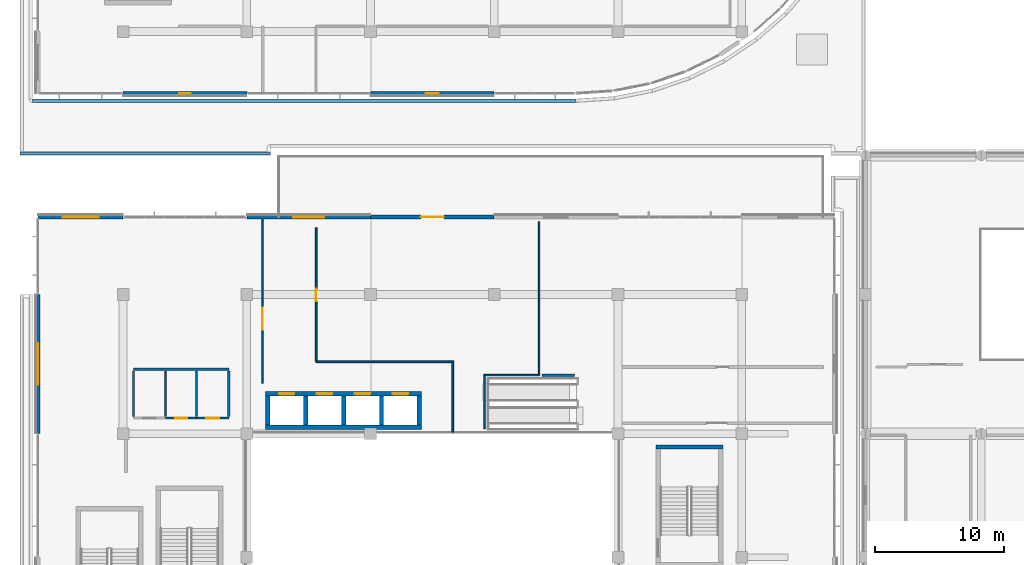
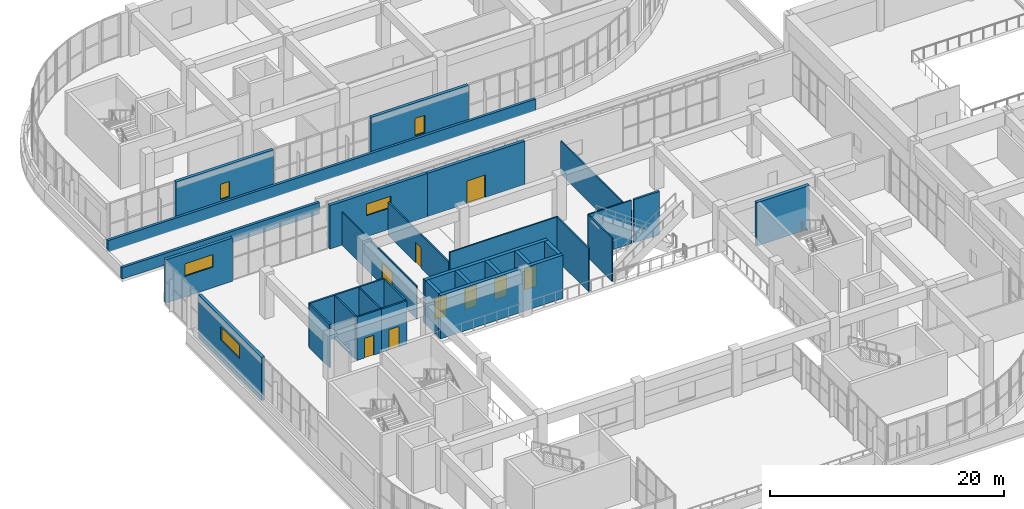
# One storey, part 63 of 96: 31 walls, 9 doors, 5 windows, 14 openings.
"""IFC4 building model written with IfcOpenShell, lengths in metres."""

from ifc_helpers import new_model, si_unit, direction, frame, frame_2d, origin, place, context, subcontext, project, spatial, rectangle, extrude, material, layer, layer_set, type_object, element, fill, save


model = new_model("IFC4")

# Units and contexts
model_context = context("Model", 3, precision=1e-05, world=origin(), true_north=direction((0.0, 1.0)))
body_context = subcontext(model_context, "Body", "Model", "MODEL_VIEW")
ifc_project = project(units=[si_unit("LENGTHUNIT", "METRE"), si_unit("AREAUNIT", "SQUARE_METRE"), si_unit("VOLUMEUNIT", "CUBIC_METRE"), si_unit("PLANEANGLEUNIT", "RADIAN"), si_unit("MASSUNIT", "GRAM", prefix="KILO")], contexts=[model_context])

# Site, building, storey
site_placement = place(None, origin())
site = spatial("IfcSite", under=ifc_project, at=site_placement, CompositionType="ELEMENT")
building_placement = place(site_placement, origin())
building = spatial("IfcBuilding", under=site, at=building_placement, Name="Cendralis Terraced Arcade", CompositionType="ELEMENT")
storey_placement = place(building_placement, frame((0.0, 0.0, 10.199951171875)))
storey = spatial("IfcBuildingStorey", under=building, at=storey_placement, Name="L02", CompositionType="ELEMENT", Elevation=10.199951171875)

# Walls
ifc_material_1 = material(Name="Gypsum plasterboard acoustic partition", Category="concrete")
ifc_layer_1 = layer(ifc_material_1, 0.205078125, Name="WL-ACOU-205")
ifc_layer_set_1 = layer_set([ifc_layer_1], Name="Gypsum plasterboard acoustic partition")
wall_type_1 = type_object("IfcWallType", Name="WL-ACOU-205", PredefinedType="PARTITIONING", material=ifc_layer_set_1)
wall_1_placement = place(storey_placement, frame((44.6181640625, 42.93994140625, 0.0), z_axis=(0.0, 0.0, 1.0), x_axis=(-1.0, 0.0, 0.0)))
element("IfcWall", 1, at=wall_1_placement, inside=storey, type_object=wall_type_1, Name="Interior Partition Wall IW-L02-0444", PredefinedType="PARTITIONING", context=body_context, shape_type="SweptSolid", body=[
    extrude(rectangle(XDim=2.498046875, YDim=0.205078125, at=frame_2d((1.2490234375, 0.0))), origin(), (0.0, 0.0, 1.0), 4.51513671875),
])
ifc_material_2 = material(Name="Concrete f'c 42 MPa", Category="concrete")
ifc_layer_2 = layer(ifc_material_2, 0.340087890625, Name="WL-CORE-340")
ifc_layer_set_2 = layer_set([ifc_layer_2], Name="Concrete f'c 42 MPa")
wall_type_2 = type_object("IfcWallType", Name="WL-CORE-340", PredefinedType="SHEAR", material=ifc_layer_set_2)
wall_2_placement = place(storey_placement, frame((50.9599609375, 37.3701171875, 0.0), z_axis=(0.0, 0.0, 1.0), x_axis=(1.0, 0.0, 0.0)))
element("IfcWall", 2, at=wall_2_placement, inside=storey, type_object=wall_type_2, Name="Stair Core Reinforced Concrete Shear Wall SW-ST-04-L02-N", PredefinedType="SHEAR", context=body_context, shape_type="SweptSolid", body=[
    extrude(rectangle(XDim=5.179931640625, YDim=0.340087890625, at=frame_2d((2.58984375, 0.0))), origin(), (0.0, 0.0, 1.0), 4.51513671875),
])
for number, where, z_axis, x_axis, name in (
    (3, (23.77001953125, 39.074951171875, 0.0), (0.0, 0.0, 1.0), (0.0, 1.0, 0.0), "Lift PL-01 Reinforced Concrete Shaft Wall (L02)"),
    (4, (20.830078125, 39.074951171875, 0.0), (0.0, 0.0, 1.0), (0.0, 1.0, 0.0), "Lift PL-01 Reinforced Concrete Shaft Wall (L02)"),
):
    element("IfcWall", number, at=place(storey_placement, frame(where, z_axis=z_axis, x_axis=x_axis)), inside=storey, type_object=wall_type_2, Name=name, PredefinedType="SHEAR", context=body_context, shape_type="SweptSolid", body=[
        extrude(rectangle(XDim=2.25, YDim=0.340087890625, at=frame_2d((1.125, 0.0))), origin(), (0.0, 0.0, 1.0), 4.51513671875),
    ])
wall_3_placement = place(storey_placement, frame((20.659912109375, 38.905029296875, 0.0), z_axis=(0.0, 0.0, 1.0), x_axis=(1.0, 0.0, 0.0)))
element("IfcWall", 5, at=wall_3_placement, inside=storey, type_object=wall_type_2, Name="Lift PL-01 Reinforced Concrete Shaft Wall (L02)", PredefinedType="SHEAR", context=body_context, shape_type="SweptSolid", body=[
    extrude(rectangle(XDim=12.10009765625, YDim=0.340087890625, at=frame_2d((6.050048828125, 0.0))), origin(), (0.0, 0.0, 1.0), 4.51513671875),
])

# Wall, openings, doors
wall_4_placement = place(storey_placement, frame((20.659912109375, 41.4951171875, 0.0), z_axis=(0.0, 0.0, 1.0), x_axis=(1.0, 0.0, 0.0)))
wall_4 = element("IfcWall", 6, at=wall_4_placement, inside=storey, type_object=wall_type_2, Name="Lift PL-01 Reinforced Concrete Shaft Wall (L02)", PredefinedType="SHEAR", context=body_context, shape_type="SweptSolid", body=[
    extrude(rectangle(XDim=12.10009765625, YDim=0.340087890625, at=frame_2d((6.050048828125, 0.0))), origin(), (0.0, 0.0, 1.0), 4.51513671875),
])
opening_1_placement = place(wall_4_placement, frame((1.0400390625, 0.0, 0.0)))
opening_1 = element("IfcOpeningElement", 7, at=opening_1_placement, cuts=wall_4, Name="Opening LD-PL-01-L02", PredefinedType="OPENING", context=body_context, shape_type="SweptSolid", body=[
    extrude(rectangle(XDim=1.199951171875, YDim=2.199951171875, at=frame_2d((0.60009765625, 1.10009765625))), frame((0.0, 0.18212890625, 0.0), z_axis=(0.0, -1.0, 0.0), x_axis=(1.0, 0.0, 0.0)), (0.0, 0.0, 1.0), 0.364013671875),
])
opening_2_placement = place(wall_4_placement, frame((3.97998046875, 0.0, 0.0)))
opening_2 = element("IfcOpeningElement", 8, at=opening_2_placement, cuts=wall_4, Name="Opening LD-PL-02-L02", PredefinedType="OPENING", context=body_context, shape_type="SweptSolid", body=[
    extrude(rectangle(XDim=1.199951171875, YDim=2.199951171875, at=frame_2d((0.60009765625, 1.10009765625))), frame((0.0, 0.18212890625, 0.0), z_axis=(0.0, -1.0, 0.0), x_axis=(1.0, 0.0, 0.0)), (0.0, 0.0, 1.0), 0.364013671875),
])
opening_3_placement = place(wall_4_placement, frame((6.919921875, 0.0, 0.0)))
opening_3 = element("IfcOpeningElement", 9, at=opening_3_placement, cuts=wall_4, Name="Opening LD-PL-03-L02", PredefinedType="OPENING", context=body_context, shape_type="SweptSolid", body=[
    extrude(rectangle(XDim=1.199951171875, YDim=2.199951171875, at=frame_2d((0.60009765625, 1.10009765625))), frame((0.0, 0.18212890625, 0.0), z_axis=(0.0, -1.0, 0.0), x_axis=(1.0, 0.0, 0.0)), (0.0, 0.0, 1.0), 0.364013671875),
])
opening_4_placement = place(wall_4_placement, frame((9.860107421875, 0.0, 0.0)))
opening_4 = element("IfcOpeningElement", 10, at=opening_4_placement, cuts=wall_4, Name="Opening LD-PL-04-L02", PredefinedType="OPENING", context=body_context, shape_type="SweptSolid", body=[
    extrude(rectangle(XDim=1.199951171875, YDim=2.199951171875, at=frame_2d((0.60009765625, 1.10009765625))), frame((0.0, 0.18212890625, 0.0), z_axis=(0.0, -1.0, 0.0), x_axis=(1.0, 0.0, 0.0)), (0.0, 0.0, 1.0), 0.364013671875),
])
ifc_material_3 = material(Name="Anodised aluminium sliding door assembly", Category="aluminium")
door_type_1 = type_object("IfcDoorType", Name="ID-LD-PX-1200x2200", OperationType="DOUBLE_DOOR_SLIDING", PredefinedType="DOOR", material=ifc_material_3)
door_1_placement = place(opening_1_placement, origin())
door_1 = element("IfcDoor", 11, at=door_1_placement, inside=storey, type_object=door_type_1, Name="Lift PL-01 Sliding Landing Door (L02)", OperationType="DOUBLE_DOOR_SLIDING", OverallHeight=2.199951171875, OverallWidth=1.199951171875, PredefinedType="DOOR", context=body_context, shape_type="SweptSolid", body=[
    extrude(rectangle(XDim=1.199951171875, YDim=2.199951171875, at=frame_2d((0.60009765625, 1.10009765625))), frame((0.0, 0.02490234375, 0.0), z_axis=(0.0, -1.0, 0.0), x_axis=(1.0, 0.0, 0.0)), (0.0, 0.0, 1.0), 0.050048828125),
])
fill(opening_1, door_1)
door_2_placement = place(opening_2_placement, origin())
door_2 = element("IfcDoor", 12, at=door_2_placement, inside=storey, type_object=door_type_1, Name="Lift PL-02 Sliding Landing Door (L02)", OperationType="DOUBLE_DOOR_SLIDING", OverallHeight=2.199951171875, OverallWidth=1.199951171875, PredefinedType="DOOR", context=body_context, shape_type="SweptSolid", body=[
    extrude(rectangle(XDim=1.199951171875, YDim=2.199951171875, at=frame_2d((0.60009765625, 1.10009765625))), frame((0.0, 0.02490234375, 0.0), z_axis=(0.0, -1.0, 0.0), x_axis=(1.0, 0.0, 0.0)), (0.0, 0.0, 1.0), 0.050048828125),
])
fill(opening_2, door_2)
door_3_placement = place(opening_3_placement, origin())
door_3 = element("IfcDoor", 13, at=door_3_placement, inside=storey, type_object=door_type_1, Name="Lift PL-03 Sliding Landing Door (L02)", OperationType="DOUBLE_DOOR_SLIDING", OverallHeight=2.199951171875, OverallWidth=1.199951171875, PredefinedType="DOOR", context=body_context, shape_type="SweptSolid", body=[
    extrude(rectangle(XDim=1.199951171875, YDim=2.199951171875, at=frame_2d((0.60009765625, 1.10009765625))), frame((0.0, 0.02490234375, 0.0), z_axis=(0.0, -1.0, 0.0), x_axis=(1.0, 0.0, 0.0)), (0.0, 0.0, 1.0), 0.050048828125),
])
fill(opening_3, door_3)
door_4_placement = place(opening_4_placement, origin())
door_4 = element("IfcDoor", 14, at=door_4_placement, inside=storey, type_object=door_type_1, Name="Lift PL-04 Sliding Landing Door (L02)", OperationType="DOUBLE_DOOR_SLIDING", OverallHeight=2.199951171875, OverallWidth=1.199951171875, PredefinedType="DOOR", context=body_context, shape_type="SweptSolid", body=[
    extrude(rectangle(XDim=1.199951171875, YDim=2.199951171875, at=frame_2d((0.60009765625, 1.10009765625))), frame((0.0, 0.02490234375, 0.0), z_axis=(0.0, -1.0, 0.0), x_axis=(1.0, 0.0, 0.0)), (0.0, 0.0, 1.0), 0.050048828125),
])
fill(opening_4, door_4)

# Walls
for number, where, z_axis, x_axis, name in (
    (15, (26.7099609375, 39.074951171875, 0.0), (0.0, 0.0, 1.0), (0.0, 1.0, 0.0), "Lift PL-02 Reinforced Concrete Shaft Wall (L02)"),
    (16, (29.64990234375, 39.074951171875, 0.0), (0.0, 0.0, 1.0), (0.0, 1.0, 0.0), "Lift PL-03 Reinforced Concrete Shaft Wall (L02)"),
    (17, (32.590087890625, 39.074951171875, 0.0), (0.0, 0.0, 1.0), (0.0, 1.0, 0.0), "Lift PL-04 Reinforced Concrete Shaft Wall (L02)"),
):
    element("IfcWall", number, at=place(storey_placement, frame(where, z_axis=z_axis, x_axis=x_axis)), inside=storey, type_object=wall_type_2, Name=name, PredefinedType="SHEAR", context=body_context, shape_type="SweptSolid", body=[
        extrude(rectangle(XDim=2.25, YDim=0.340087890625, at=frame_2d((1.125, 0.0))), origin(), (0.0, 0.0, 1.0), 4.51513671875),
    ])

# Wall, opening, window
ifc_material_4 = material(Name="Precast concrete f'c 40 MPa", Category="concrete")
ifc_layer_3 = layer(ifc_material_4, 0.300048828125, Name="WL-EXT-GRC-300")
ifc_layer_set_3 = layer_set([ifc_layer_3], Name="Precast concrete f'c 40 MPa")
wall_type_3 = type_object("IfcWallType", Name="WL-EXT-GRC-300", PredefinedType="SOLIDWALL", material=ifc_layer_set_3)
wall_5_placement = place(storey_placement, frame((38.39990234375, 64.800048828125, 0.0), z_axis=(0.0, 0.0, 1.0), x_axis=(-1.0, 0.0, 0.0)))
wall_5 = element("IfcWall", 18, at=wall_5_placement, inside=storey, type_object=wall_type_3, Name="Exterior Architectural Wall EW-L02-0169", PredefinedType="SOLIDWALL", context=body_context, shape_type="SweptSolid", body=[
    extrude(rectangle(XDim=9.599853515625, YDim=0.300048828125, at=frame_2d((4.7998046875, 0.0))), origin(), (0.0, 0.0, 1.0), 4.51513671875),
])
opening_5_placement = place(wall_5_placement, frame((4.300048828125, 0.0, 1.10009765625)))
opening_5 = element("IfcOpeningElement", 19, at=opening_5_placement, cuts=wall_5, Name="Opening W-23", PredefinedType="OPENING", context=body_context, shape_type="SweptSolid", body=[
    extrude(rectangle(XDim=1.0, YDim=1.800048828125, at=frame_2d((0.5, 0.89990234375))), frame((0.0, 0.162109375, 0.0), z_axis=(0.0, -1.0, 0.0), x_axis=(1.0, 0.0, 0.0)), (0.0, 0.0, 1.0), 0.323974609375),
])
ifc_material_5 = material(Name="Tempered solar control laminated glass", Category="glass")
window_type_1 = type_object("IfcWindowType", Name="WN-ST-1000x1800", PartitioningType="SINGLE_PANEL", PredefinedType="WINDOW", material=ifc_material_5)
window_1_placement = place(opening_5_placement, origin())
window_1 = element("IfcWindow", 20, at=window_1_placement, inside=storey, type_object=window_type_1, Name="Exterior Solar-Control Window WN-L02-0108", OverallHeight=1.800048828125, OverallWidth=1.0, PartitioningType="SINGLE_PANEL", PredefinedType="WINDOW", context=body_context, shape_type="SweptSolid", body=[
    extrude(rectangle(XDim=1.0, YDim=1.800048828125, at=frame_2d((0.5, 0.89990234375))), frame((0.0, 0.030029296875, 0.0), z_axis=(0.0, -1.0, 0.0), x_axis=(1.0, 0.0, 0.0)), (0.0, 0.0, 1.0), 0.06005859375),
])
fill(opening_5, window_1)

wall_6_placement = place(storey_placement, frame((19.199951171875, 64.800048828125, 0.0), z_axis=(0.0, 0.0, 1.0), x_axis=(-1.0, 0.0, 0.0)))
wall_6 = element("IfcWall", 21, at=wall_6_placement, inside=storey, type_object=wall_type_3, Name="Exterior Architectural Wall EW-L02-0170", PredefinedType="SOLIDWALL", context=body_context, shape_type="SweptSolid", body=[
    extrude(rectangle(XDim=9.599853515625, YDim=0.300048828125, at=frame_2d((4.7998046875, 0.0))), origin(), (0.0, 0.0, 1.0), 4.51513671875),
])
opening_6_placement = place(wall_6_placement, frame((4.35009765625, 0.0, 1.14990234375)))
opening_6 = element("IfcOpeningElement", 22, at=opening_6_placement, cuts=wall_6, Name="Opening W-24", PredefinedType="OPENING", context=body_context, shape_type="SweptSolid", body=[
    extrude(rectangle(XDim=0.89990234375, YDim=1.60009765625, at=frame_2d((0.449951171875, 0.800048828125))), frame((0.0, 0.162109375, 0.0), z_axis=(0.0, -1.0, 0.0), x_axis=(1.0, 0.0, 0.0)), (0.0, 0.0, 1.0), 0.323974609375),
])
window_type_2 = type_object("IfcWindowType", Name="WN-ST-0900x1600", PartitioningType="SINGLE_PANEL", PredefinedType="WINDOW", material=ifc_material_5)
window_2_placement = place(opening_6_placement, origin())
window_2 = element("IfcWindow", 23, at=window_2_placement, inside=storey, type_object=window_type_2, Name="Exterior Solar-Control Window WN-L02-0109", OverallHeight=1.60009765625, OverallWidth=0.89990234375, PartitioningType="SINGLE_PANEL", PredefinedType="WINDOW", context=body_context, shape_type="SweptSolid", body=[
    extrude(rectangle(XDim=0.89990234375, YDim=1.60009765625, at=frame_2d((0.449951171875, 0.800048828125))), frame((0.0, 0.030029296875, 0.0), z_axis=(0.0, -1.0, 0.0), x_axis=(1.0, 0.0, 0.0)), (0.0, 0.0, 1.0), 0.06005859375),
])
fill(opening_6, window_2)

wall_7_placement = place(storey_placement, frame((3.0, 38.39990234375, 0.0), z_axis=(0.0, 0.0, 1.0), x_axis=(0.0, 1.0, 0.0)))
wall_7 = element("IfcWall", 24, at=wall_7_placement, inside=storey, type_object=wall_type_3, Name="Exterior Architectural Wall EW-L02-0221", PredefinedType="SOLIDWALL", context=body_context, shape_type="SweptSolid", body=[
    extrude(rectangle(XDim=10.800048828125, YDim=0.300048828125, at=frame_2d((5.39990234375, 0.0))), origin(), (0.0, 0.0, 1.0), 4.51513671875),
])
opening_7_placement = place(wall_7_placement, frame((3.800048828125, 0.0, 2.10009765625)))
opening_7 = element("IfcOpeningElement", 25, at=opening_7_placement, cuts=wall_7, Name="Opening W-15", PredefinedType="OPENING", context=body_context, shape_type="SweptSolid", body=[
    extrude(rectangle(XDim=3.199951171875, YDim=1.39990234375, at=frame_2d((1.60009765625, 0.699951171875))), frame((0.0, 0.162109375, 0.0), z_axis=(0.0, -1.0, 0.0), x_axis=(1.0, 0.0, 0.0)), (0.0, 0.0, 1.0), 0.323974609375),
])
window_type_3 = type_object("IfcWindowType", Name="WN-CL-3200x1400", PartitioningType="SINGLE_PANEL", PredefinedType="WINDOW", material=ifc_material_5)
window_3_placement = place(opening_7_placement, origin())
window_3 = element("IfcWindow", 26, at=window_3_placement, inside=storey, type_object=window_type_3, Name="Exterior Solar-Control Window WN-L02-0135", OverallHeight=1.39990234375, OverallWidth=3.199951171875, PartitioningType="SINGLE_PANEL", PredefinedType="WINDOW", context=body_context, shape_type="SweptSolid", body=[
    extrude(rectangle(XDim=3.199951171875, YDim=1.39990234375, at=frame_2d((1.60009765625, 0.699951171875))), frame((0.0, 0.030029296875, 0.0), z_axis=(0.0, -1.0, 0.0), x_axis=(1.0, 0.0, 0.0)), (0.0, 0.0, 1.0), 0.06005859375),
])
fill(opening_7, window_3)

wall_8_placement = place(storey_placement, frame((3.0, 55.199951171875, 0.0), z_axis=(0.0, 0.0, 1.0), x_axis=(1.0, 0.0, 0.0)))
wall_8 = element("IfcWall", 27, at=wall_8_placement, inside=storey, type_object=wall_type_3, Name="Exterior Architectural Wall EW-L02-0222", PredefinedType="SOLIDWALL", context=body_context, shape_type="SweptSolid", body=[
    extrude(rectangle(XDim=6.60009765625, YDim=0.300048828125, at=frame_2d((3.300048828125, 0.0))), origin(), (0.0, 0.0, 1.0), 4.51513671875),
])
opening_8_placement = place(wall_8_placement, frame((1.89990234375, 0.0, 2.14990234375)))
opening_8 = element("IfcOpeningElement", 28, at=opening_8_placement, cuts=wall_8, Name="Opening W-16", PredefinedType="OPENING", context=body_context, shape_type="SweptSolid", body=[
    extrude(rectangle(XDim=2.800048828125, YDim=1.300048828125, at=frame_2d((1.39990234375, 0.64990234375))), frame((0.0, 0.162109375, 0.0), z_axis=(0.0, -1.0, 0.0), x_axis=(1.0, 0.0, 0.0)), (0.0, 0.0, 1.0), 0.323974609375),
])
window_type_4 = type_object("IfcWindowType", Name="WN-CL-2800x1300", PartitioningType="SINGLE_PANEL", PredefinedType="WINDOW", material=ifc_material_5)
window_4_placement = place(opening_8_placement, origin())
window_4 = element("IfcWindow", 29, at=window_4_placement, inside=storey, type_object=window_type_4, Name="Exterior Solar-Control Window WN-L02-0136", OverallHeight=1.300048828125, OverallWidth=2.800048828125, PartitioningType="SINGLE_PANEL", PredefinedType="WINDOW", context=body_context, shape_type="SweptSolid", body=[
    extrude(rectangle(XDim=2.800048828125, YDim=1.300048828125, at=frame_2d((1.39990234375, 0.64990234375))), frame((0.0, 0.030029296875, 0.0), z_axis=(0.0, -1.0, 0.0), x_axis=(1.0, 0.0, 0.0)), (0.0, 0.0, 1.0), 0.06005859375),
])
fill(opening_8, window_4)

wall_9_placement = place(storey_placement, frame((19.199951171875, 55.199951171875, 0.0), z_axis=(0.0, 0.0, 1.0), x_axis=(1.0, 0.0, 0.0)))
wall_9 = element("IfcWall", 30, at=wall_9_placement, inside=storey, type_object=wall_type_3, Name="Exterior Architectural Wall EW-L02-0223", PredefinedType="SOLIDWALL", context=body_context, shape_type="SweptSolid", body=[
    extrude(rectangle(XDim=9.60009765625, YDim=0.300048828125, at=frame_2d((4.800048828125, 0.0))), origin(), (0.0, 0.0, 1.0), 4.51513671875),
])
opening_9_placement = place(wall_9_placement, frame((3.60009765625, 0.0, 2.199951171875)))
opening_9 = element("IfcOpeningElement", 31, at=opening_9_placement, cuts=wall_9, Name="Opening W-17", PredefinedType="OPENING", context=body_context, shape_type="SweptSolid", body=[
    extrude(rectangle(XDim=2.39990234375, YDim=1.199951171875, at=frame_2d((1.199951171875, 0.60009765625))), frame((0.0, 0.162109375, 0.0), z_axis=(0.0, -1.0, 0.0), x_axis=(1.0, 0.0, 0.0)), (0.0, 0.0, 1.0), 0.323974609375),
])
window_type_5 = type_object("IfcWindowType", Name="WN-CL-2400x1200", PartitioningType="SINGLE_PANEL", PredefinedType="WINDOW", material=ifc_material_5)
window_5_placement = place(opening_9_placement, origin())
window_5 = element("IfcWindow", 32, at=window_5_placement, inside=storey, type_object=window_type_5, Name="Exterior Solar-Control Window WN-L02-0137", OverallHeight=1.199951171875, OverallWidth=2.39990234375, PartitioningType="SINGLE_PANEL", PredefinedType="WINDOW", context=body_context, shape_type="SweptSolid", body=[
    extrude(rectangle(XDim=2.39990234375, YDim=1.199951171875, at=frame_2d((1.199951171875, 0.60009765625))), frame((0.0, 0.030029296875, 0.0), z_axis=(0.0, -1.0, 0.0), x_axis=(1.0, 0.0, 0.0)), (0.0, 0.0, 1.0), 0.06005859375),
])
fill(opening_9, window_5)

# Wall, opening, door
wall_10_placement = place(storey_placement, frame((28.800048828125, 55.199951171875, 0.0), z_axis=(0.0, 0.0, 1.0), x_axis=(1.0, 0.0, 0.0)))
wall_10 = element("IfcWall", 33, at=wall_10_placement, inside=storey, type_object=wall_type_3, Name="Exterior Architectural Wall EW-L02-0224", PredefinedType="SOLIDWALL", context=body_context, shape_type="SweptSolid", body=[
    extrude(rectangle(XDim=9.599853515625, YDim=0.300048828125, at=frame_2d((4.7998046875, 0.0))), origin(), (0.0, 0.0, 1.0), 4.51513671875),
])
opening_10_placement = place(wall_10_placement, frame((3.89990234375, 0.0, 0.0)))
opening_10 = element("IfcOpeningElement", 34, at=opening_10_placement, cuts=wall_10, Name="Opening TD-L02-02", PredefinedType="OPENING", context=body_context, shape_type="SweptSolid", body=[
    extrude(rectangle(XDim=1.800048828125, YDim=2.35009765625, at=frame_2d((0.89990234375, 1.175048828125))), frame((0.0, 0.162109375, 0.0), z_axis=(0.0, -1.0, 0.0), x_axis=(1.0, 0.0, 0.0)), (0.0, 0.0, 1.0), 0.323974609375),
])
ifc_material_6 = material(Name="Powder-coated thermally broken aluminium and glass", Category="aluminium")
door_type_2 = type_object("IfcDoorType", Name="ED-TER-1800x2350", OperationType="DOUBLE_DOOR_SINGLE_SWING", PredefinedType="DOOR", material=ifc_material_6)
door_5_placement = place(opening_10_placement, origin())
door_5 = element("IfcDoor", 35, at=door_5_placement, inside=storey, type_object=door_type_2, Name="Planted Terrace Access Door TD-L02-02", OperationType="DOUBLE_DOOR_SINGLE_SWING", OverallHeight=2.35009765625, OverallWidth=1.800048828125, PredefinedType="DOOR", context=body_context, shape_type="SweptSolid", body=[
    extrude(rectangle(XDim=1.800048828125, YDim=2.35009765625, at=frame_2d((0.89990234375, 1.175048828125))), frame((0.0, 0.02490234375, 0.0), z_axis=(0.0, -1.0, 0.0), x_axis=(1.0, 0.0, 0.0)), (0.0, 0.0, 1.0), 0.050048828125),
])
fill(opening_10, door_5)

# Walls
ifc_layer_4 = layer(ifc_material_4, 0.25, Name="WL-PAR-250")
ifc_layer_set_4 = layer_set([ifc_layer_4], Name="Precast concrete f'c 40 MPa")
wall_type_4 = type_object("IfcWallType", Name="WL-PAR-250", PredefinedType="PARAPET", material=ifc_layer_set_4)
wall_11_placement = place(storey_placement, frame((2.580078125, 64.235107421875, 0.0), z_axis=(0.0, 0.0, 1.0), x_axis=(1.0, 0.0, 0.0)))
element("IfcWall", 36, at=wall_11_placement, inside=storey, type_object=wall_type_4, Name="Precast Concrete Roof Parapet Wall PAR-L02-018", PredefinedType="PARAPET", context=body_context, shape_type="SweptSolid", body=[
    extrude(rectangle(XDim=42.1337890625, YDim=0.25, at=frame_2d((21.06689453125, 0.0))), origin(), (0.0, 0.0, 1.0), 1.199951171875),
])
wall_12_placement = place(storey_placement, frame((21.050048828125, 60.14501953125, 0.0), z_axis=(0.0, 0.0, 1.0), x_axis=(-1.0, 0.0, 0.0)))
element("IfcWall", 37, at=wall_12_placement, inside=storey, type_object=wall_type_4, Name="Precast Concrete Roof Parapet Wall PAR-L02-033", PredefinedType="PARAPET", context=body_context, shape_type="SweptSolid", body=[
    extrude(rectangle(XDim=19.449951171875, YDim=0.25, at=frame_2d((9.72509765625, 0.0))), origin(), (0.0, 0.0, 1.0), 1.199951171875),
])

# Wall, opening, door
ifc_layer_5 = layer(ifc_material_1, 0.112060546875, Name="WL-PART-112")
ifc_layer_set_5 = layer_set([ifc_layer_5], Name="Gypsum plasterboard acoustic partition")
wall_type_5 = type_object("IfcWallType", Name="WL-PART-112", PredefinedType="PARTITIONING", material=ifc_layer_set_5)
wall_13_placement = place(storey_placement, frame((20.419921875, 55.050048828125, 0.0), z_axis=(0.0, 0.0, 1.0), x_axis=(0.0, -1.0, 0.0)))
wall_13 = element("IfcWall", 38, at=wall_13_placement, inside=storey, type_object=wall_type_5, Name="Interior Partition Wall IW-L02-0440", PredefinedType="PARTITIONING", context=body_context, shape_type="SweptSolid", body=[
    extrude(rectangle(XDim=12.7451171875, YDim=0.112060546875, at=frame_2d((6.37255859375, 0.0))), origin(), (0.0, 0.0, 1.0), 3.455078125),
])
opening_11_placement = place(wall_13_placement, frame((6.867431640625, 0.0, 0.0)))
opening_11 = element("IfcOpeningElement", 39, at=opening_11_placement, cuts=wall_13, Name="Opening D-L02-119", PredefinedType="OPENING", context=body_context, shape_type="SweptSolid", body=[
    extrude(rectangle(XDim=1.699951171875, YDim=2.300048828125, at=frame_2d((0.85009765625, 1.14990234375))), frame((0.0, 0.06787109375, 0.0), z_axis=(0.0, -1.0, 0.0), x_axis=(1.0, 0.0, 0.0)), (0.0, 0.0, 1.0), 0.135986328125),
])
ifc_material_7 = material(Name="Solid core Andean oak veneer door leaf", Category="aluminium")
door_type_3 = type_object("IfcDoorType", Name="ID-DEP-1700x2300", OperationType="DOUBLE_DOOR_SINGLE_SWING", PredefinedType="DOOR", material=ifc_material_7)
door_6_placement = place(opening_11_placement, origin())
door_6 = element("IfcDoor", 40, at=door_6_placement, inside=storey, type_object=door_type_3, Name="Menswear and Tailoring Sales Floor Door D-L02-119", OperationType="DOUBLE_DOOR_SINGLE_SWING", OverallHeight=2.300048828125, OverallWidth=1.699951171875, PredefinedType="DOOR", context=body_context, shape_type="SweptSolid", body=[
    extrude(rectangle(XDim=1.699951171875, YDim=2.300048828125, at=frame_2d((0.85009765625, 1.14990234375))), frame((0.0, 0.02490234375, 0.0), z_axis=(0.0, -1.0, 0.0), x_axis=(1.0, 0.0, 0.0)), (0.0, 0.0, 1.0), 0.050048828125),
])
fill(opening_11, door_6)

# Walls
ifc_layer_6 = layer(ifc_material_1, 0.117919921875, Name="WL-PART-118")
ifc_layer_set_6 = layer_set([ifc_layer_6], Name="Gypsum plasterboard acoustic partition")
wall_type_6 = type_object("IfcWallType", Name="WL-PART-118", PredefinedType="PARTITIONING", material=ifc_layer_set_6)
wall_14_placement = place(storey_placement, frame((37.659912109375, 42.87890625, 0.0), z_axis=(0.0, 0.0, 1.0), x_axis=(0.0, -1.0, 0.0)))
element("IfcWall", 41, at=wall_14_placement, inside=storey, type_object=wall_type_6, Name="Interior Partition Wall IW-L02-0439", PredefinedType="PARTITIONING", context=body_context, shape_type="SweptSolid", body=[
    extrude(rectangle(XDim=4.078857421875, YDim=0.117919921875, at=frame_2d((2.03955078125, 0.0))), origin(), (0.0, 0.0, 1.0), 4.51513671875),
])
ifc_layer_7 = layer(ifc_material_1, 0.1220703125, Name="WL-PART-122")
ifc_layer_set_7 = layer_set([ifc_layer_7], Name="Gypsum plasterboard acoustic partition")
wall_type_7 = type_object("IfcWallType", Name="WL-PART-122", PredefinedType="PARTITIONING", material=ifc_layer_set_7)
wall_15_placement = place(storey_placement, frame((41.8798828125, 42.93994140625, 0.0), z_axis=(0.0, 0.0, 1.0), x_axis=(-1.0, 0.0, 0.0)))
element("IfcWall", 42, at=wall_15_placement, inside=storey, type_object=wall_type_7, Name="Interior Partition Wall IW-L02-0438", PredefinedType="PARTITIONING", context=body_context, shape_type="SweptSolid", body=[
    extrude(rectangle(XDim=4.27880859375, YDim=0.1220703125, at=frame_2d((2.139404296875, 0.0))), origin(), (0.0, 0.0, 1.0), 4.51513671875),
])
ifc_layer_8 = layer(ifc_material_1, 0.1259765625, Name="WL-PART-126")
ifc_layer_set_8 = layer_set([ifc_layer_8], Name="Gypsum plasterboard acoustic partition")
wall_type_8 = type_object("IfcWallType", Name="WL-PART-126", PredefinedType="PARTITIONING", material=ifc_layer_set_8)
wall_16_placement = place(storey_placement, frame((41.8798828125, 54.860107421875, 0.0), z_axis=(0.0, 0.0, 1.0), x_axis=(0.0, -1.0, 0.0)))
element("IfcWall", 43, at=wall_16_placement, inside=storey, type_object=wall_type_8, Name="Interior Partition Wall IW-L02-0437", PredefinedType="PARTITIONING", context=body_context, shape_type="SweptSolid", body=[
    extrude(rectangle(XDim=11.920166015625, YDim=0.1259765625, at=frame_2d((5.9599609375, 0.0))), origin(), (0.0, 0.0, 1.0), 3.455078125),
])
ifc_layer_9 = layer(ifc_material_1, 0.1298828125, Name="WL-PART-130")
ifc_layer_set_9 = layer_set([ifc_layer_9], Name="Gypsum plasterboard acoustic partition")
wall_type_9 = type_object("IfcWallType", Name="WL-PART-130", PredefinedType="PARTITIONING", material=ifc_layer_set_9)
for number, where, z_axis, x_axis, name in (
    (44, (12.89990234375, 39.75, 0.0), (0.0, 0.0, 1.0), (0.0, 1.0, 0.0), "Restroom Enclosure Partition IW-WC-L02-0039"),
    (45, (15.300048828125, 39.75, 0.0), (0.0, 0.0, 1.0), (0.0, 1.0, 0.0), "Restroom Enclosure Partition IW-WC-L02-0040"),
):
    element("IfcWall", number, at=place(storey_placement, frame(where, z_axis=z_axis, x_axis=x_axis)), inside=storey, type_object=wall_type_9, Name=name, PredefinedType="PARTITIONING", context=body_context, shape_type="SweptSolid", body=[
        extrude(rectangle(XDim=3.5, YDim=0.1298828125, at=frame_2d((1.75, 0.0))), origin(), (0.0, 0.0, 1.0), 4.51513671875),
    ])
wall_17_placement = place(storey_placement, frame((35.179931640625, 38.530029296875, 0.0), z_axis=(0.0, 0.0, 1.0), x_axis=(0.0, 1.0, 0.0)))
element("IfcWall", 46, at=wall_17_placement, inside=storey, type_object=wall_type_9, Name="Interior Partition Wall IW-L02-0436", PredefinedType="PARTITIONING", context=body_context, shape_type="SweptSolid", body=[
    extrude(rectangle(XDim=5.383056640625, YDim=0.1298828125, at=frame_2d((2.69140625, 0.0))), origin(), (0.0, 0.0, 1.0), 4.51513671875),
])
ifc_layer_10 = layer(ifc_material_1, 0.134033203125, Name="WL-PART-134")
ifc_layer_set_10 = layer_set([ifc_layer_10], Name="Gypsum plasterboard acoustic partition")
wall_type_10 = type_object("IfcWallType", Name="WL-PART-134", PredefinedType="PARTITIONING", material=ifc_layer_set_10)
wall_18_placement = place(storey_placement, frame((35.2451171875, 43.97998046875, 0.0), z_axis=(0.0, 0.0, 1.0), x_axis=(-1.0, 0.0, 0.0)))
element("IfcWall", 47, at=wall_18_placement, inside=storey, type_object=wall_type_10, Name="Interior Partition Wall IW-L02-0435", PredefinedType="PARTITIONING", context=body_context, shape_type="SweptSolid", body=[
    extrude(rectangle(XDim=10.6650390625, YDim=0.134033203125, at=frame_2d((5.33251953125, 0.0))), origin(), (0.0, 0.0, 1.0), 4.51513671875),
])

# Wall, opening, door
ifc_layer_11 = layer(ifc_material_1, 0.137939453125, Name="WL-PART-138")
ifc_layer_set_11 = layer_set([ifc_layer_11], Name="Gypsum plasterboard acoustic partition")
wall_type_11 = type_object("IfcWallType", Name="WL-PART-138", PredefinedType="PARTITIONING", material=ifc_layer_set_11)
wall_19_placement = place(storey_placement, frame((24.580078125, 43.97998046875, 0.0), z_axis=(0.0, 0.0, 1.0), x_axis=(0.0, 1.0, 0.0)))
wall_19 = element("IfcWall", 48, at=wall_19_placement, inside=storey, type_object=wall_type_11, Name="Interior Partition Wall IW-L02-0434", PredefinedType="PARTITIONING", context=body_context, shape_type="SweptSolid", body=[
    extrude(rectangle(XDim=10.380126953125, YDim=0.137939453125, at=frame_2d((5.18994140625, 0.0))), origin(), (0.0, 0.0, 1.0), 3.455078125),
])
opening_12_placement = place(wall_19_placement, frame((4.7099609375, 0.0, 0.0)))
opening_12 = element("IfcOpeningElement", 49, at=opening_12_placement, cuts=wall_19, Name="Opening D-L02-118", PredefinedType="OPENING", context=body_context, shape_type="SweptSolid", body=[
    extrude(rectangle(XDim=0.9599609375, YDim=2.1298828125, at=frame_2d((0.47998046875, 1.06494140625))), frame((0.0, 0.0810546875, 0.0), z_axis=(0.0, -1.0, 0.0), x_axis=(1.0, 0.0, 0.0)), (0.0, 0.0, 1.0), 0.161865234375),
])
door_type_4 = type_object("IfcDoorType", Name="ID-RM-0960x2130", OperationType="NOTDEFINED", PredefinedType="DOOR", material=ifc_material_7)
door_7_placement = place(opening_12_placement, origin())
door_7 = element("IfcDoor", 50, at=door_7_placement, inside=storey, type_object=door_type_4, Name="Menswear and Tailoring Sales Floor Door D-L02-118", OperationType="SINGLE_SWING_RIGHT", OverallHeight=2.1298828125, OverallWidth=0.9599609375, PredefinedType="DOOR", context=body_context, shape_type="SweptSolid", body=[
    extrude(rectangle(XDim=0.9599609375, YDim=2.1298828125, at=frame_2d((0.47998046875, 1.06494140625))), frame((0.0, 0.02490234375, 0.0), z_axis=(0.0, -1.0, 0.0), x_axis=(1.0, 0.0, 0.0)), (0.0, 0.0, 1.0), 0.050048828125),
])
fill(opening_12, door_7)

# Walls
ifc_layer_12 = layer(ifc_material_1, 0.159912109375, Name="WL-PART-160")
ifc_layer_set_12 = layer_set([ifc_layer_12], Name="Gypsum plasterboard acoustic partition")
wall_type_12 = type_object("IfcWallType", Name="WL-PART-160", PredefinedType="PARTITIONING", material=ifc_layer_set_12)
wall_20_placement = place(storey_placement, frame((10.39990234375, 43.39990234375, 0.0), z_axis=(0.0, 0.0, 1.0), x_axis=(1.0, 0.0, 0.0)))
element("IfcWall", 51, at=wall_20_placement, inside=storey, type_object=wall_type_12, Name="Restroom Enclosure Partition IW-WC-L02-0037", PredefinedType="PARTITIONING", context=body_context, shape_type="SweptSolid", body=[
    extrude(rectangle(XDim=7.400146484375, YDim=0.159912109375, at=frame_2d((3.7001953125, 0.0))), origin(), (0.0, 0.0, 1.0), 4.51513671875),
])
for number, where, z_axis, x_axis, name in (
    (52, (10.39990234375, 39.75, 0.0), (0.0, 0.0, 1.0), (0.0, 1.0, 0.0), "Restroom Enclosure Partition IW-WC-L02-0038"),
    (53, (17.800048828125, 39.75, 0.0), (0.0, 0.0, 1.0), (0.0, 1.0, 0.0), "Restroom Enclosure Partition IW-WC-L02-0041"),
):
    element("IfcWall", number, at=place(storey_placement, frame(where, z_axis=z_axis, x_axis=x_axis)), inside=storey, type_object=wall_type_12, Name=name, PredefinedType="PARTITIONING", context=body_context, shape_type="SweptSolid", body=[
        extrude(rectangle(XDim=3.5, YDim=0.159912109375, at=frame_2d((1.75, 0.0))), origin(), (0.0, 0.0, 1.0), 4.51513671875),
    ])

# Wall, opening, door
wall_21_placement = place(storey_placement, frame((12.89990234375, 39.60009765625, 0.0), z_axis=(0.0, 0.0, 1.0), x_axis=(1.0, 0.0, 0.0)))
wall_21 = element("IfcWall", 54, at=wall_21_placement, inside=storey, type_object=wall_type_12, Name="Restroom Enclosure Partition IW-WC-L02-0043", PredefinedType="PARTITIONING", context=body_context, shape_type="SweptSolid", body=[
    extrude(rectangle(XDim=2.400146484375, YDim=0.159912109375, at=frame_2d((1.2001953125, 0.0))), origin(), (0.0, 0.0, 1.0), 4.51513671875),
])
opening_13_placement = place(wall_21_placement, frame((0.739990234375, 0.0, 0.0)))
opening_13 = element("IfcOpeningElement", 55, at=opening_13_placement, cuts=wall_21, Name="Opening D-WC-L02-015", PredefinedType="OPENING", context=body_context, shape_type="SweptSolid", body=[
    extrude(rectangle(XDim=0.919921875, YDim=2.050048828125, at=frame_2d((0.4599609375, 1.02490234375))), frame((0.0, 0.091796875, 0.0), z_axis=(0.0, -1.0, 0.0), x_axis=(1.0, 0.0, 0.0)), (0.0, 0.0, 1.0), 0.183837890625),
])
door_type_5 = type_object("IfcDoorType", Name="ID-WC-0920x2050", OperationType="NOTDEFINED", PredefinedType="DOOR", material=ifc_material_7)
door_8_placement = place(opening_13_placement, origin())
door_8 = element("IfcDoor", 56, at=door_8_placement, inside=storey, type_object=door_type_5, Name="Men's Restroom Door (L02)", OperationType="SINGLE_SWING_RIGHT", OverallHeight=2.050048828125, OverallWidth=0.919921875, PredefinedType="DOOR", context=body_context, shape_type="SweptSolid", body=[
    extrude(rectangle(XDim=0.919921875, YDim=2.050048828125, at=frame_2d((0.4599609375, 1.02490234375))), frame((0.0, 0.02490234375, 0.0), z_axis=(0.0, -1.0, 0.0), x_axis=(1.0, 0.0, 0.0)), (0.0, 0.0, 1.0), 0.050048828125),
])
fill(opening_13, door_8)

wall_22_placement = place(storey_placement, frame((15.300048828125, 39.60009765625, 0.0), z_axis=(0.0, 0.0, 1.0), x_axis=(1.0, 0.0, 0.0)))
wall_22 = element("IfcWall", 57, at=wall_22_placement, inside=storey, type_object=wall_type_12, Name="Restroom Enclosure Partition IW-WC-L02-0044", PredefinedType="PARTITIONING", context=body_context, shape_type="SweptSolid", body=[
    extrude(rectangle(XDim=2.5, YDim=0.159912109375, at=frame_2d((1.25, 0.0))), origin(), (0.0, 0.0, 1.0), 4.51513671875),
])
opening_14_placement = place(wall_22_placement, frame((0.739990234375, 0.0, 0.0)))
opening_14 = element("IfcOpeningElement", 58, at=opening_14_placement, cuts=wall_22, Name="Opening D-WC-L02-016", PredefinedType="OPENING", context=body_context, shape_type="SweptSolid", body=[
    extrude(rectangle(XDim=1.02001953125, YDim=2.1201171875, at=frame_2d((0.510009765625, 1.06005859375))), frame((0.0, 0.091796875, 0.0), z_axis=(0.0, -1.0, 0.0), x_axis=(1.0, 0.0, 0.0)), (0.0, 0.0, 1.0), 0.183837890625),
])
door_type_6 = type_object("IfcDoorType", Name="ID-AWC-1020x2120", OperationType="NOTDEFINED", PredefinedType="DOOR", material=ifc_material_7)
door_9_placement = place(opening_14_placement, origin())
door_9 = element("IfcDoor", 59, at=door_9_placement, inside=storey, type_object=door_type_6, Name="Accessible WC Door (L02)", OperationType="SINGLE_SWING_LEFT", OverallHeight=2.1201171875, OverallWidth=1.02001953125, PredefinedType="DOOR", context=body_context, shape_type="SweptSolid", body=[
    extrude(rectangle(XDim=1.02001953125, YDim=2.1201171875, at=frame_2d((0.510009765625, 1.06005859375))), frame((0.0, 0.02490234375, 0.0), z_axis=(0.0, -1.0, 0.0), x_axis=(1.0, 0.0, 0.0)), (0.0, 0.0, 1.0), 0.050048828125),
])
fill(opening_14, door_9)

save(model, "model.ifc")
